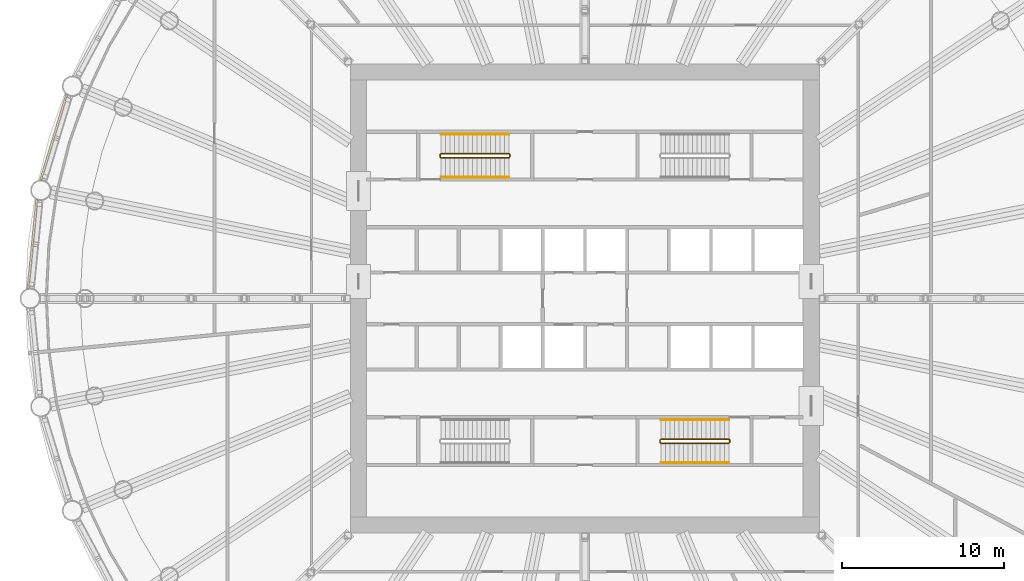
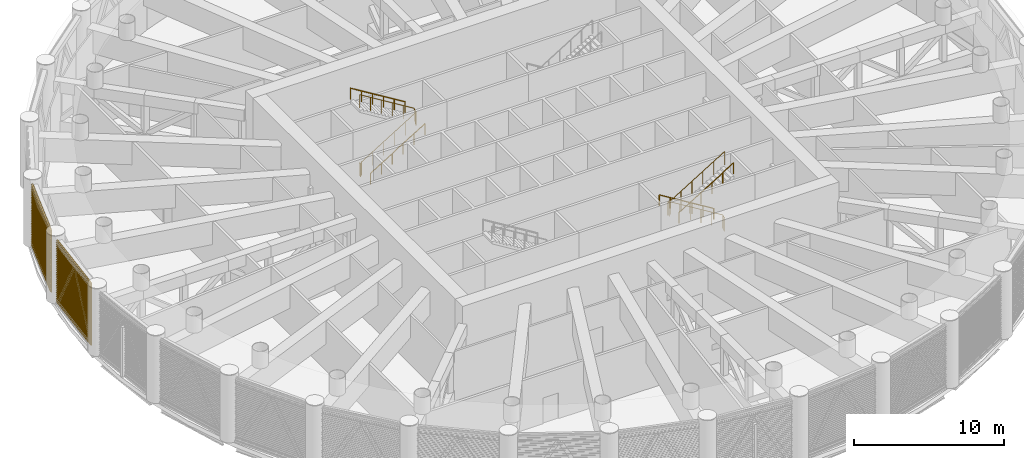
# One storey, part 25 of 29: 6 railings, 2 shading devices, 2 elements without a shape of their own.
"""IFC4 building model written with IfcOpenShell, lengths in metres."""

import ifcopenshell
import ifcopenshell.guid

model = None  # the IFC model being written
_history = None  # IfcOwnerHistory: only IFC2X3 demands one
_inside = {}  # id of a spatial element -> (the spatial element, [elements in it])
_under = {}  # id of a project, library or spatial element -> (it, [spatial elements below it])
_declared = {}  # id of a project -> (the project, [libraries it declares])
_typed = {}  # id of a type object -> (the type object, [elements of that type])
_made_of = {}  # id of a material, layer set ... -> (it, [elements and type objects made of it])


def new_model(schema):
    """Start an empty IFC model of exactly this schema.

    Asked for "IFC4X3", IfcOpenShell would pick the latest addendum, in which some entities
    have other attributes; the version numbers below select the first issue.
    IFC2X3 requires an IfcOwnerHistory on every rooted entity: one is made here for all.
    """
    global model, _history
    if schema == "IFC4X3":
        model = ifcopenshell.file(schema_version=(4, 3, 0, 0))
    else:
        model = ifcopenshell.file(schema=schema)
    _inside.clear()
    _under.clear()
    _declared.clear()
    _typed.clear()
    _made_of.clear()
    _history = None
    if model.schema == "IFC2X3":
        org = make("IfcOrganization", Name="unknown")
        user = make(
            "IfcPersonAndOrganization",
            ThePerson=make("IfcPerson", FamilyName="unknown"),
            TheOrganization=org,
        )
        app = make(
            "IfcApplication",
            ApplicationDeveloper=org,
            Version="unknown",
            ApplicationFullName="unknown",
            ApplicationIdentifier="unknown",
        )
        _history = make(
            "IfcOwnerHistory",
            OwningUser=user,
            OwningApplication=app,
            ChangeAction="ADDED",
            CreationDate=0,
        )
    return model


def make(cls, **values):
    """One entity of the class cls with the attributes given. An attribute that is None is left unset."""
    return model.create_entity(
        cls, **{name: value for name, value in values.items() if value is not None}
    )


def rooted(cls, **values):
    """An entity with a GlobalId (a new one), such as an element, a storey or a relation."""
    return make(cls, GlobalId=ifcopenshell.guid.new(), OwnerHistory=_history, **values)


def si_unit(unit_type, name, prefix=None):
    """IfcSIUnit, for example si_unit("LENGTHUNIT", "METRE", prefix="MILLI")."""
    return make("IfcSIUnit", UnitType=unit_type, Prefix=prefix, Name=name)


def assignment(units):
    """IfcUnitAssignment: the units of a project."""
    return None if units is None else make("IfcUnitAssignment", Units=units)


def point(xyz):
    """IfcCartesianPoint."""
    return None if xyz is None else make("IfcCartesianPoint", Coordinates=xyz)


def direction(xyz):
    """IfcDirection."""
    return None if xyz is None else make("IfcDirection", DirectionRatios=xyz)


def frame(location, z_axis=None, x_axis=None):
    """IfcAxis2Placement3D, a coordinate frame: its origin and axes. An axis left out is left unset."""
    return make(
        "IfcAxis2Placement3D",
        Location=point(location),
        Axis=direction(z_axis),
        RefDirection=direction(x_axis),
    )


def frame_2d(location, x_axis=None):
    """IfcAxis2Placement2D, a coordinate frame in the plane: its origin and x axis."""
    return make(
        "IfcAxis2Placement2D", Location=point(location), RefDirection=direction(x_axis)
    )


def origin():
    """The frame at (0, 0, 0) with its axes left unset."""
    return frame((0.0, 0.0, 0.0))


def origin_2d():
    """The frame at (0, 0) in the plane with its x axis left unset."""
    return frame_2d((0.0, 0.0))


def place(relative_to, where):
    """IfcLocalPlacement: puts the frame where relative to a parent placement (None: the world)."""
    return make(
        "IfcLocalPlacement", PlacementRelTo=relative_to, RelativePlacement=where
    )


def context(
    kind, dimensions, precision=None, world=None, true_north=None, identifier=None
):
    """IfcGeometricRepresentationContext, for example the 3D "Model" context."""
    return make(
        "IfcGeometricRepresentationContext",
        ContextIdentifier=identifier,
        ContextType=kind,
        CoordinateSpaceDimension=dimensions,
        Precision=precision,
        WorldCoordinateSystem=world,
        TrueNorth=true_north,
    )


def subcontext(parent, identifier, kind, view, scale=None):
    """IfcGeometricRepresentationSubContext, for example "Body" below "Model"."""
    return make(
        "IfcGeometricRepresentationSubContext",
        ContextIdentifier=identifier,
        ContextType=kind,
        ParentContext=parent,
        TargetScale=scale,
        TargetView=view,
    )


def project(units=None, contexts=None):
    """IfcProject with its units and contexts."""
    return rooted(
        "IfcProject",
        Name="project",
        RepresentationContexts=contexts,
        UnitsInContext=assignment(units),
    )


def spatial(cls, under=None, at=None, **own):
    """A site, building, storey or space (cls), placed at a placement, below another one or the project."""
    s = rooted(cls, ObjectPlacement=at, **own)
    if under is not None:
        _under.setdefault(under.id(), (under, []))[1].append(s)
    return s


def polyline(points):
    """IfcPolyline through the points."""
    return make("IfcPolyline", Points=[point(p) for p in points])


def profile(cls, at=None, kind="AREA", **sizes):
    """A parametric profile (cls). Its sizes go by their IFC names, for example OverallWidth=200.0."""
    return make(cls, ProfileType=kind, Position=at, **sizes)


def circle(**sizes):
    """IfcCircleProfileDef."""
    return profile("IfcCircleProfileDef", **sizes)


def outline(outer, holes=None, kind="AREA"):
    """IfcArbitraryClosedProfileDef: a profile drawn as a closed curve; with holes, ...WithVoids."""
    if holes is None:
        return make("IfcArbitraryClosedProfileDef", ProfileType=kind, OuterCurve=outer)
    return make(
        "IfcArbitraryProfileDefWithVoids",
        ProfileType=kind,
        OuterCurve=outer,
        InnerCurves=holes,
    )


def extrude(swept, where, along, depth):
    """IfcExtrudedAreaSolid: the profile swept, set in the frame where, extruded along a direction by depth."""
    return make(
        "IfcExtrudedAreaSolid",
        SweptArea=swept,
        Position=where,
        ExtrudedDirection=direction(along),
        Depth=depth,
    )


def shape(context_of_items, identifier, shape_type, items):
    """IfcShapeRepresentation: the items that make up one representation, for example the "Body"."""
    return make(
        "IfcShapeRepresentation",
        ContextOfItems=context_of_items,
        RepresentationIdentifier=identifier,
        RepresentationType=shape_type,
        Items=items,
    )


def material(Name=None, Category=None):
    """IfcMaterial."""
    return make("IfcMaterial", Name=Name, Category=Category)


def material_profile(
    of_material, cross_section, Name=None, Category=None, Priority=None
):
    """IfcMaterialProfile: a cross section and its material."""
    return make(
        "IfcMaterialProfile",
        Name=Name,
        Material=of_material,
        Profile=cross_section,
        Priority=Priority,
        Category=Category,
    )


def profile_set(profiles, Name=None, composite=None):
    """IfcMaterialProfileSet."""
    return make(
        "IfcMaterialProfileSet",
        Name=Name,
        MaterialProfiles=profiles,
        CompositeProfile=composite,
    )


def made_of(thing, what):
    """Note that an element or type object is made of a material, layer set ...; save() writes the relation."""
    if what is not None:
        _made_of.setdefault(what.id(), (what, []))[1].append(thing)
    return thing


def type_object(cls, material=None, **own):
    """A type object (cls), such as IfcWallType, which elements share."""
    return made_of(rooted(cls, **own), material)


def element(
    cls,
    number,
    at=None,
    inside=None,
    cuts=None,
    type_object=None,
    material=None,
    context=None,
    identifier="Body",
    shape_type=None,
    held_by="IfcProductDefinitionShape",
    body=None,
    shapes=None,
    **own,
):
    """One element of the class cls, such as IfcWall. Its Tag is "e" and its number.

    at: its placement. inside: the storey or other place that contains it. cuts: it is an
    opening in that element (IfcRelVoidsElement). A single representation is given by context,
    identifier, shape_type and body (its items); several are given by shapes. held_by: the class
    of the entity that holds the representations. save() writes the other relations.
    """
    e = rooted(cls, Tag="e%d" % number, ObjectPlacement=at, **own)
    if body is not None:
        shapes = [shape(context, identifier, shape_type, body)]
    if shapes is not None:
        e.Representation = make(held_by, Representations=shapes)
    if inside is not None:
        _inside.setdefault(inside.id(), (inside, []))[1].append(e)
    if cuts is not None:
        rooted(
            "IfcRelVoidsElement", RelatingBuildingElement=cuts, RelatedOpeningElement=e
        )
    if type_object is not None:
        _typed.setdefault(type_object.id(), (type_object, []))[1].append(e)
    return made_of(e, material)


def aggregate(whole, parts):
    """IfcRelAggregates: a whole, such as a stair, and the parts it consists of."""
    return rooted("IfcRelAggregates", RelatingObject=whole, RelatedObjects=parts)


def save(model, path):
    """Write the relations noted so far, then the file.

    IfcRelAggregates (storeys below a building ...), IfcRelContainedInSpatialStructure (elements
    in a storey), IfcRelDefinesByType, IfcRelAssociatesMaterial and IfcRelDeclares: one each for
    every whole, place, type object, material and project.
    """
    for whole, parts in _under.values():
        aggregate(whole, parts)
    for where, things in _inside.values():
        rooted(
            "IfcRelContainedInSpatialStructure",
            RelatedElements=things,
            RelatingStructure=where,
        )
    for kind, things in _typed.values():
        rooted("IfcRelDefinesByType", RelatedObjects=things, RelatingType=kind)
    for what, things in _made_of.values():
        rooted("IfcRelAssociatesMaterial", RelatedObjects=things, RelatingMaterial=what)
    for by, libraries in _declared.values():
        rooted("IfcRelDeclares", RelatingContext=by, RelatedDefinitions=libraries)
    model.write(path)


model = new_model("IFC4")

# Units and contexts
model_context = context("Model", 3, precision=1e-05, world=origin(), true_north=direction((0.0, 1.0)))
body_context = subcontext(model_context, "Body", "Model", "MODEL_VIEW")
ifc_project = project(units=[si_unit("LENGTHUNIT", "METRE"), si_unit("AREAUNIT", "SQUARE_METRE"), si_unit("VOLUMEUNIT", "CUBIC_METRE"), si_unit("PLANEANGLEUNIT", "RADIAN"), si_unit("MASSUNIT", "GRAM", prefix="KILO")], contexts=[model_context])

# Site, building, storey
site_placement = place(None, origin())
site = spatial("IfcSite", under=ifc_project, at=site_placement, CompositionType="ELEMENT")
building_placement = place(site_placement, origin())
building = spatial("IfcBuilding", under=site, at=building_placement, Name="Corvane Civic Tower", CompositionType="ELEMENT")
storey_placement = place(building_placement, frame((0.0, 0.0, 138.5)))
storey = spatial("IfcBuildingStorey", under=building, at=storey_placement, Name="L32", CompositionType="ELEMENT", Elevation=138.5)

# Railings
ifc_material_1 = material(Name="Steel ASTM A572 Gr 50", Category="steel")
railing_type_1 = type_object("IfcRailingType", Name="ST-GUARD-1100", PredefinedType="GUARDRAIL", material=ifc_material_1)
railing_1_placement = place(storey_placement, frame((8.949951171875, -8.89990234375, 0.0)))
element("IfcRailing", 1, at=railing_1_placement, inside=storey, type_object=railing_type_1, Name="L32 ST2 stair guard 1", PredefinedType="GUARDRAIL", context=body_context, shape_type="SweptSolid", body=[
    extrude(circle(Radius=0.02392578125, at=origin_2d()), frame((0.0, 0.0, 1.076171875), z_axis=(0.0, 1.0, 0.0), x_axis=(-1.0, 0.0, 0.0)), (0.0, 0.0, 1.0), 0.14990234375),
    extrude(circle(Radius=0.02392578125, at=origin_2d()), frame((0.0, 0.14990234375, 1.076171875), z_axis=(-0.269255725606, 0.269255725606, 0.92466356501), x_axis=(-0.707106781187, -0.707106781187, 0.0)), (0.0, 0.0, 1.0), 0.185791015625),
    extrude(circle(Radius=0.02392578125, at=origin_2d()), frame((-0.050048828125, 0.199951171875, 1.248046875), z_axis=(-0.852242915053, 0.0, 0.523146264196), x_axis=(0.0, -1.0, 0.0)), (0.0, 0.0, 1.0), 4.92822265625),
    extrude(circle(Radius=0.02392578125, at=origin_2d()), frame((-4.25, 0.199951171875, 3.826171875), z_axis=(-0.707106781187, -0.707106781187, 0.0), x_axis=(0.707106781187, -0.707106781187, 0.0)), (0.0, 0.0, 1.0), 0.07080078125),
    extrude(circle(Radius=0.02392578125, at=origin_2d()), frame((-4.300048828125, 0.14990234375, 3.826171875), z_axis=(0.0, -1.0, 0.0), x_axis=(1.0, 0.0, 0.0)), (0.0, 0.0, 1.0), 0.14990234375),
    extrude(circle(Radius=0.02392578125, at=origin_2d()), frame((-4.300048828125, 0.0, 3.826171875), z_axis=(0.269255725606, -0.269255725606, 0.92466356501), x_axis=(0.707106781187, 0.707106781187, 0.0)), (0.0, 0.0, 1.0), 0.185791015625),
    extrude(circle(Radius=0.02392578125, at=origin_2d()), frame((-4.25, -0.050048828125, 3.998046875), z_axis=(0.852242915053, 0.0, 0.523146264196), x_axis=(0.0, 1.0, 0.0)), (0.0, 0.0, 1.0), 4.92822265625),
    extrude(circle(Radius=0.02099609375, at=origin_2d()), origin(), (0.0, 0.0, 1.0), 1.052001953125),
    extrude(circle(Radius=0.02099609375, at=origin_2d()), frame((0.0, 0.14990234375, 0.0)), (0.0, 0.0, 1.0), 1.052001953125),
    extrude(circle(Radius=0.02099609375, at=origin_2d()), frame((-0.050048828125, 0.199951171875, 0.171875)), (0.0, 0.0, 1.0), 1.052001953125),
    extrude(circle(Radius=0.02099609375, at=origin_2d()), frame((-0.89013671875, 0.199951171875, 0.6875)), (0.0, 0.0, 1.0), 1.052001953125),
    extrude(circle(Radius=0.02099609375, at=origin_2d()), frame((-1.72998046875, 0.199951171875, 1.203125)), (0.0, 0.0, 1.0), 1.052001953125),
    extrude(circle(Radius=0.02099609375, at=origin_2d()), frame((-2.570068359375, 0.199951171875, 1.71875)), (0.0, 0.0, 1.0), 1.052001953125),
    extrude(circle(Radius=0.02099609375, at=origin_2d()), frame((-3.409912109375, 0.199951171875, 2.234375)), (0.0, 0.0, 1.0), 1.052001953125),
    extrude(circle(Radius=0.02099609375, at=origin_2d()), frame((-4.25, 0.199951171875, 2.75)), (0.0, 0.0, 1.0), 1.052001953125),
    extrude(circle(Radius=0.02099609375, at=origin_2d()), frame((-4.300048828125, 0.14990234375, 2.75)), (0.0, 0.0, 1.0), 1.052001953125),
    extrude(circle(Radius=0.02099609375, at=origin_2d()), frame((-4.300048828125, 0.0, 2.75)), (0.0, 0.0, 1.0), 1.052001953125),
    extrude(circle(Radius=0.02099609375, at=origin_2d()), frame((-4.25, -0.050048828125, 2.921875)), (0.0, 0.0, 1.0), 1.052001953125),
    extrude(circle(Radius=0.02099609375, at=origin_2d()), frame((-3.409912109375, -0.050048828125, 3.4375)), (0.0, 0.0, 1.0), 1.052001953125),
    extrude(circle(Radius=0.02099609375, at=origin_2d()), frame((-2.570068359375, -0.050048828125, 3.953125)), (0.0, 0.0, 1.0), 1.052001953125),
    extrude(circle(Radius=0.02099609375, at=origin_2d()), frame((-1.72998046875, -0.050048828125, 4.46875)), (0.0, 0.0, 1.0), 1.052001953125),
    extrude(circle(Radius=0.02099609375, at=origin_2d()), frame((-0.89013671875, -0.050048828125, 4.984375)), (0.0, 0.0, 1.0), 1.052001953125),
    extrude(circle(Radius=0.02099609375, at=origin_2d()), frame((-0.050048828125, -0.050048828125, 5.5)), (0.0, 0.0, 1.0), 1.052001953125),
])
railing_2_placement = place(storey_placement, frame((-8.949951171875, 8.89990234375, 0.0)))
element("IfcRailing", 2, at=railing_2_placement, inside=storey, type_object=railing_type_1, Name="L32 ST4 stair guard 1", PredefinedType="GUARDRAIL", context=body_context, shape_type="SweptSolid", body=[
    extrude(circle(Radius=0.02392578125, at=origin_2d()), frame((0.0, 0.0, 1.076171875), z_axis=(0.0, -1.0, 0.0), x_axis=(1.0, 0.0, 0.0)), (0.0, 0.0, 1.0), 0.14990234375),
    extrude(circle(Radius=0.02392578125, at=origin_2d()), frame((0.0, -0.14990234375, 1.076171875), z_axis=(0.269255725606, -0.269255725606, 0.92466356501), x_axis=(0.707106781187, 0.707106781187, 0.0)), (0.0, 0.0, 1.0), 0.185791015625),
    extrude(circle(Radius=0.02392578125, at=origin_2d()), frame((0.050048828125, -0.199951171875, 1.248046875), z_axis=(0.852242915053, 0.0, 0.523146264196), x_axis=(0.0, 1.0, 0.0)), (0.0, 0.0, 1.0), 4.92822265625),
    extrude(circle(Radius=0.02392578125, at=origin_2d()), frame((4.25, -0.199951171875, 3.826171875), z_axis=(0.707106781187, 0.707106781187, 0.0), x_axis=(-0.707106781187, 0.707106781187, 0.0)), (0.0, 0.0, 1.0), 0.07080078125),
    extrude(circle(Radius=0.02392578125, at=origin_2d()), frame((4.300048828125, -0.14990234375, 3.826171875), z_axis=(0.0, 1.0, 0.0), x_axis=(-1.0, 0.0, 0.0)), (0.0, 0.0, 1.0), 0.14990234375),
    extrude(circle(Radius=0.02392578125, at=origin_2d()), frame((4.300048828125, 0.0, 3.826171875), z_axis=(-0.269255725606, 0.269255725606, 0.92466356501), x_axis=(-0.707106781187, -0.707106781187, 0.0)), (0.0, 0.0, 1.0), 0.185791015625),
    extrude(circle(Radius=0.02392578125, at=origin_2d()), frame((4.25, 0.050048828125, 3.998046875), z_axis=(-0.852242915053, 0.0, 0.523146264196), x_axis=(0.0, -1.0, 0.0)), (0.0, 0.0, 1.0), 4.92822265625),
    extrude(circle(Radius=0.02099609375, at=origin_2d()), origin(), (0.0, 0.0, 1.0), 1.052001953125),
    extrude(circle(Radius=0.02099609375, at=origin_2d()), frame((0.0, -0.14990234375, 0.0)), (0.0, 0.0, 1.0), 1.052001953125),
    extrude(circle(Radius=0.02099609375, at=origin_2d()), frame((0.050048828125, -0.199951171875, 0.171875)), (0.0, 0.0, 1.0), 1.052001953125),
    extrude(circle(Radius=0.02099609375, at=origin_2d()), frame((0.89013671875, -0.199951171875, 0.6875)), (0.0, 0.0, 1.0), 1.052001953125),
    extrude(circle(Radius=0.02099609375, at=origin_2d()), frame((1.72998046875, -0.199951171875, 1.203125)), (0.0, 0.0, 1.0), 1.052001953125),
    extrude(circle(Radius=0.02099609375, at=origin_2d()), frame((2.570068359375, -0.199951171875, 1.71875)), (0.0, 0.0, 1.0), 1.052001953125),
    extrude(circle(Radius=0.02099609375, at=origin_2d()), frame((3.409912109375, -0.199951171875, 2.234375)), (0.0, 0.0, 1.0), 1.052001953125),
    extrude(circle(Radius=0.02099609375, at=origin_2d()), frame((4.25, -0.199951171875, 2.75)), (0.0, 0.0, 1.0), 1.052001953125),
    extrude(circle(Radius=0.02099609375, at=origin_2d()), frame((4.300048828125, -0.14990234375, 2.75)), (0.0, 0.0, 1.0), 1.052001953125),
    extrude(circle(Radius=0.02099609375, at=origin_2d()), frame((4.300048828125, 0.0, 2.75)), (0.0, 0.0, 1.0), 1.052001953125),
    extrude(circle(Radius=0.02099609375, at=origin_2d()), frame((4.25, 0.050048828125, 2.921875)), (0.0, 0.0, 1.0), 1.052001953125),
    extrude(circle(Radius=0.02099609375, at=origin_2d()), frame((3.409912109375, 0.050048828125, 3.4375)), (0.0, 0.0, 1.0), 1.052001953125),
    extrude(circle(Radius=0.02099609375, at=origin_2d()), frame((2.570068359375, 0.050048828125, 3.953125)), (0.0, 0.0, 1.0), 1.052001953125),
    extrude(circle(Radius=0.02099609375, at=origin_2d()), frame((1.72998046875, 0.050048828125, 4.46875)), (0.0, 0.0, 1.0), 1.052001953125),
    extrude(circle(Radius=0.02099609375, at=origin_2d()), frame((0.89013671875, 0.050048828125, 4.984375)), (0.0, 0.0, 1.0), 1.052001953125),
    extrude(circle(Radius=0.02099609375, at=origin_2d()), frame((0.050048828125, 0.050048828125, 5.5)), (0.0, 0.0, 1.0), 1.052001953125),
])
ifc_material_2 = material(Name="Steel ASTM A572 Gr 50", Category="steel")
railing_type_2 = type_object("IfcRailingType", Name="ST-HANDRAIL-900", PredefinedType="HANDRAIL", material=ifc_material_2)
railing_3_placement = place(storey_placement, frame((8.89990234375, -7.5, 0.171875)))
element("IfcRailing", 3, at=railing_3_placement, inside=storey, type_object=railing_type_2, Name="L32 ST2 stair handrail 1", PredefinedType="HANDRAIL", context=body_context, shape_type="SweptSolid", body=[
    extrude(circle(Radius=0.02392578125, at=origin_2d()), frame((0.0, 0.0, 0.8759765625), z_axis=(-0.852242915053, 0.0, 0.523146264196), x_axis=(0.0, -1.0, 0.0)), (0.0, 0.0, 1.0), 4.92822265625),
    extrude(circle(Radius=0.02099609375, at=origin_2d()), origin(), (0.0, 0.0, 1.0), 0.851806640625),
    extrude(circle(Radius=0.02099609375, at=origin_2d()), frame((-0.840087890625, 0.0, 0.515625)), (0.0, 0.0, 1.0), 0.851806640625),
    extrude(circle(Radius=0.02099609375, at=origin_2d()), frame((-1.679931640625, 0.0, 1.03125)), (0.0, 0.0, 1.0), 0.851806640625),
    extrude(circle(Radius=0.02099609375, at=origin_2d()), frame((-2.52001953125, 0.0, 1.546875)), (0.0, 0.0, 1.0), 0.851806640625),
    extrude(circle(Radius=0.02099609375, at=origin_2d()), frame((-3.35986328125, 0.0, 2.0625)), (0.0, 0.0, 1.0), 0.851806640625),
    extrude(circle(Radius=0.02099609375, at=origin_2d()), frame((-4.199951171875, 0.0, 2.578125)), (0.0, 0.0, 1.0), 0.851806640625),
])
for number, where, name in (
    (4, (4.699951171875, -10.14990234375, 2.921875), "L32 ST2 stair handrail 2"),
    (5, (-8.89990234375, 7.5, 0.171875), "L32 ST4 stair handrail 1"),
):
    element("IfcRailing", number, at=place(storey_placement, frame(where)), inside=storey, type_object=railing_type_2, Name=name, PredefinedType="HANDRAIL", context=body_context, shape_type="SweptSolid", body=[
        extrude(circle(Radius=0.02392578125, at=origin_2d()), frame((0.0, 0.0, 0.8759765625), z_axis=(0.852242915053, 0.0, 0.523146264196), x_axis=(0.0, 1.0, 0.0)), (0.0, 0.0, 1.0), 4.92822265625),
        extrude(circle(Radius=0.02099609375, at=origin_2d()), origin(), (0.0, 0.0, 1.0), 0.851806640625),
        extrude(circle(Radius=0.02099609375, at=origin_2d()), frame((0.840087890625, 0.0, 0.515625)), (0.0, 0.0, 1.0), 0.851806640625),
        extrude(circle(Radius=0.02099609375, at=origin_2d()), frame((1.679931640625, 0.0, 1.03125)), (0.0, 0.0, 1.0), 0.851806640625),
        extrude(circle(Radius=0.02099609375, at=origin_2d()), frame((2.52001953125, 0.0, 1.546875)), (0.0, 0.0, 1.0), 0.851806640625),
        extrude(circle(Radius=0.02099609375, at=origin_2d()), frame((3.35986328125, 0.0, 2.0625)), (0.0, 0.0, 1.0), 0.851806640625),
        extrude(circle(Radius=0.02099609375, at=origin_2d()), frame((4.199951171875, 0.0, 2.578125)), (0.0, 0.0, 1.0), 0.851806640625),
    ])
railing_4_placement = place(storey_placement, frame((-4.699951171875, 10.14990234375, 2.921875)))
element("IfcRailing", 6, at=railing_4_placement, inside=storey, type_object=railing_type_2, Name="L32 ST4 stair handrail 2", PredefinedType="HANDRAIL", context=body_context, shape_type="SweptSolid", body=[
    extrude(circle(Radius=0.02392578125, at=origin_2d()), frame((0.0, 0.0, 0.8759765625), z_axis=(-0.852242915053, 0.0, 0.523146264196), x_axis=(0.0, -1.0, 0.0)), (0.0, 0.0, 1.0), 4.92822265625),
    extrude(circle(Radius=0.02099609375, at=origin_2d()), origin(), (0.0, 0.0, 1.0), 0.851806640625),
    extrude(circle(Radius=0.02099609375, at=origin_2d()), frame((-0.840087890625, 0.0, 0.515625)), (0.0, 0.0, 1.0), 0.851806640625),
    extrude(circle(Radius=0.02099609375, at=origin_2d()), frame((-1.679931640625, 0.0, 1.03125)), (0.0, 0.0, 1.0), 0.851806640625),
    extrude(circle(Radius=0.02099609375, at=origin_2d()), frame((-2.52001953125, 0.0, 1.546875)), (0.0, 0.0, 1.0), 0.851806640625),
    extrude(circle(Radius=0.02099609375, at=origin_2d()), frame((-3.35986328125, 0.0, 2.0625)), (0.0, 0.0, 1.0), 0.851806640625),
    extrude(circle(Radius=0.02099609375, at=origin_2d()), frame((-4.199951171875, 0.0, 2.578125)), (0.0, 0.0, 1.0), 0.851806640625),
])

# Curtain wall, shading device
ifc_material_3 = material(Name="Anodised aluminium bronze", Category="aluminium")
curtain_wall_type = type_object("IfcCurtainWallType", Name="TOWER CW-LV LOUVRE SCREEN WALL", PredefinedType="NOTDEFINED", material=ifc_material_3)
curtain_wall_1_placement = place(storey_placement, origin())
curtain_wall_1 = element("IfcCurtainWall", 7, at=curtain_wall_1_placement, inside=storey, type_object=curtain_wall_type, Name="Louvre screen wall CW-LV L32 bay 25", PredefinedType="NOTDEFINED")
ifc_material_4 = material(Name="Anodised aluminium bronze", Category="aluminium")
ifc_material_profile = material_profile(ifc_material_4, outline(polyline([(-0.06005859375, -2.56494140625), (-0.0400390625, -2.56494140625), (0.06005859375, -2.492919921875), (0.06005859375, -2.472900390625), (-0.0400390625, -2.544921875), (-0.0400390625, -2.4140625), (0.06005859375, -2.342041015625), (0.06005859375, -2.322021484375), (-0.0400390625, -2.39404296875), (-0.0400390625, -2.26318359375), (0.06005859375, -2.191162109375), (0.06005859375, -2.171142578125), (-0.0400390625, -2.2431640625), (-0.0400390625, -2.1123046875), (0.06005859375, -2.040283203125), (0.06005859375, -2.0205078125), (-0.0400390625, -2.09228515625), (-0.0400390625, -1.96142578125), (0.06005859375, -1.889404296875), (0.06005859375, -1.869384765625), (-0.0400390625, -1.94140625), (-0.0400390625, -1.810546875), (0.06005859375, -1.738525390625), (0.06005859375, -1.718505859375), (-0.0400390625, -1.79052734375), (-0.0400390625, -1.65966796875), (0.06005859375, -1.587646484375), (0.06005859375, -1.567626953125), (-0.0400390625, -1.6396484375), (-0.0400390625, -1.5087890625), (0.06005859375, -1.436767578125), (0.06005859375, -1.416748046875), (-0.0400390625, -1.48876953125), (-0.0400390625, -1.35791015625), (0.06005859375, -1.285888671875), (0.06005859375, -1.265869140625), (-0.0400390625, -1.337890625), (-0.0400390625, -1.20703125), (0.06005859375, -1.135009765625), (0.06005859375, -1.114990234375), (-0.0400390625, -1.18701171875), (-0.0400390625, -1.05615234375), (0.06005859375, -0.984130859375), (0.06005859375, -0.964111328125), (-0.0400390625, -1.0361328125), (-0.0400390625, -0.9052734375), (0.06005859375, -0.833251953125), (0.06005859375, -0.813232421875), (-0.0400390625, -0.88525390625), (-0.0400390625, -0.75439453125), (0.06005859375, -0.682373046875), (0.06005859375, -0.662353515625), (-0.0400390625, -0.734375), (-0.0400390625, -0.603515625), (0.06005859375, -0.531494140625), (0.06005859375, -0.511474609375), (-0.0400390625, -0.58349609375), (-0.0400390625, -0.45263671875), (0.06005859375, -0.380615234375), (0.06005859375, -0.360595703125), (-0.0400390625, -0.4326171875), (-0.0400390625, -0.3017578125), (0.06005859375, -0.229736328125), (0.06005859375, -0.209716796875), (-0.0400390625, -0.28173828125), (-0.0400390625, -0.15087890625), (0.06005859375, -0.078857421875), (0.06005859375, -0.058837890625), (-0.0400390625, -0.130859375), (-0.0400390625, 0.0), (0.06005859375, 0.072021484375), (0.06005859375, 0.092041015625), (-0.0400390625, 0.02001953125), (-0.0400390625, 0.15087890625), (0.06005859375, 0.222900390625), (0.06005859375, 0.242919921875), (-0.0400390625, 0.1708984375), (-0.0400390625, 0.3017578125), (0.06005859375, 0.373779296875), (0.06005859375, 0.393798828125), (-0.0400390625, 0.32177734375), (-0.0400390625, 0.45263671875), (0.06005859375, 0.524658203125), (0.06005859375, 0.544677734375), (-0.0400390625, 0.47265625), (-0.0400390625, 0.603515625), (0.06005859375, 0.675537109375), (0.06005859375, 0.695556640625), (-0.0400390625, 0.62353515625), (-0.0400390625, 0.75439453125), (0.06005859375, 0.826416015625), (0.06005859375, 0.846435546875), (-0.0400390625, 0.7744140625), (-0.0400390625, 0.9052734375), (0.06005859375, 0.977294921875), (0.06005859375, 0.997314453125), (-0.0400390625, 0.92529296875), (-0.0400390625, 1.05615234375), (0.06005859375, 1.128173828125), (0.06005859375, 1.148193359375), (-0.0400390625, 1.076171875), (-0.0400390625, 1.20703125), (0.06005859375, 1.279052734375), (0.06005859375, 1.299072265625), (-0.0400390625, 1.22705078125), (-0.0400390625, 1.35791015625), (0.06005859375, 1.429931640625), (0.06005859375, 1.449951171875), (-0.0400390625, 1.3779296875), (-0.0400390625, 1.5087890625), (0.06005859375, 1.580810546875), (0.06005859375, 1.600830078125), (-0.0400390625, 1.52880859375), (-0.0400390625, 1.65966796875), (0.06005859375, 1.731689453125), (0.06005859375, 1.751708984375), (-0.0400390625, 1.6796875), (-0.0400390625, 1.810546875), (0.06005859375, 1.882568359375), (0.06005859375, 1.902587890625), (-0.0400390625, 1.83056640625), (-0.0400390625, 1.96142578125), (0.06005859375, 2.033447265625), (0.06005859375, 2.053466796875), (-0.0400390625, 1.9814453125), (-0.0400390625, 2.1123046875), (0.06005859375, 2.184326171875), (0.06005859375, 2.204345703125), (-0.0400390625, 2.13232421875), (-0.0400390625, 2.26318359375), (0.06005859375, 2.335205078125), (0.06005859375, 2.355224609375), (-0.0400390625, 2.283203125), (-0.0400390625, 2.4140625), (0.06005859375, 2.486083984375), (0.06005859375, 2.506103515625), (-0.0400390625, 2.43408203125), (-0.0400390625, 2.56494140625), (-0.06005859375, 2.56494140625), (-0.06005859375, -2.56494140625)])), Name="TOWER LOUVRE BANK 5130 BRONZE")
ifc_profile_set = profile_set([ifc_material_profile], Name="Anodised aluminium bronze")
shading_device_type = type_object("IfcShadingDeviceType", Name="TOWER LOUVRE BANK 5130 BRONZE", PredefinedType="USERDEFINED", material=ifc_profile_set)
shading_device_1_placement = place(storey_placement, frame((-34.422607421875, 0.58349609375, 2.68505859375), z_axis=(0.098067077419, 0.995179807033, 0.0), x_axis=(-0.995179807033, 0.098067077419, 0.0)))
shading_device_1 = element("IfcShadingDevice", 8, at=shading_device_1_placement, type_object=shading_device_type, Name="Louvre bank L32 25.1", ObjectType="LOUVRE", PredefinedType="USERDEFINED", context=body_context, shape_type="SweptSolid", body=[
    extrude(outline(polyline([(-0.06005859375, -2.56494140625), (-0.0400390625, -2.56494140625), (0.06005859375, -2.492919921875), (0.06005859375, -2.472900390625), (-0.0400390625, -2.544921875), (-0.0400390625, -2.4140625), (0.06005859375, -2.342041015625), (0.06005859375, -2.322021484375), (-0.0400390625, -2.39404296875), (-0.0400390625, -2.26318359375), (0.06005859375, -2.191162109375), (0.06005859375, -2.171142578125), (-0.0400390625, -2.2431640625), (-0.0400390625, -2.1123046875), (0.06005859375, -2.040283203125), (0.06005859375, -2.0205078125), (-0.0400390625, -2.09228515625), (-0.0400390625, -1.96142578125), (0.06005859375, -1.889404296875), (0.06005859375, -1.869384765625), (-0.0400390625, -1.94140625), (-0.0400390625, -1.810546875), (0.06005859375, -1.738525390625), (0.06005859375, -1.718505859375), (-0.0400390625, -1.79052734375), (-0.0400390625, -1.65966796875), (0.06005859375, -1.587646484375), (0.06005859375, -1.567626953125), (-0.0400390625, -1.6396484375), (-0.0400390625, -1.5087890625), (0.06005859375, -1.436767578125), (0.06005859375, -1.416748046875), (-0.0400390625, -1.48876953125), (-0.0400390625, -1.35791015625), (0.06005859375, -1.285888671875), (0.06005859375, -1.265869140625), (-0.0400390625, -1.337890625), (-0.0400390625, -1.20703125), (0.06005859375, -1.135009765625), (0.06005859375, -1.114990234375), (-0.0400390625, -1.18701171875), (-0.0400390625, -1.05615234375), (0.06005859375, -0.984130859375), (0.06005859375, -0.964111328125), (-0.0400390625, -1.0361328125), (-0.0400390625, -0.9052734375), (0.06005859375, -0.833251953125), (0.06005859375, -0.813232421875), (-0.0400390625, -0.88525390625), (-0.0400390625, -0.75439453125), (0.06005859375, -0.682373046875), (0.06005859375, -0.662353515625), (-0.0400390625, -0.734375), (-0.0400390625, -0.603515625), (0.06005859375, -0.531494140625), (0.06005859375, -0.511474609375), (-0.0400390625, -0.58349609375), (-0.0400390625, -0.45263671875), (0.06005859375, -0.380615234375), (0.06005859375, -0.360595703125), (-0.0400390625, -0.4326171875), (-0.0400390625, -0.3017578125), (0.06005859375, -0.229736328125), (0.06005859375, -0.209716796875), (-0.0400390625, -0.28173828125), (-0.0400390625, -0.15087890625), (0.06005859375, -0.078857421875), (0.06005859375, -0.058837890625), (-0.0400390625, -0.130859375), (-0.0400390625, 0.0), (0.06005859375, 0.072021484375), (0.06005859375, 0.092041015625), (-0.0400390625, 0.02001953125), (-0.0400390625, 0.15087890625), (0.06005859375, 0.222900390625), (0.06005859375, 0.242919921875), (-0.0400390625, 0.1708984375), (-0.0400390625, 0.3017578125), (0.06005859375, 0.373779296875), (0.06005859375, 0.393798828125), (-0.0400390625, 0.32177734375), (-0.0400390625, 0.45263671875), (0.06005859375, 0.524658203125), (0.06005859375, 0.544677734375), (-0.0400390625, 0.47265625), (-0.0400390625, 0.603515625), (0.06005859375, 0.675537109375), (0.06005859375, 0.695556640625), (-0.0400390625, 0.62353515625), (-0.0400390625, 0.75439453125), (0.06005859375, 0.826416015625), (0.06005859375, 0.846435546875), (-0.0400390625, 0.7744140625), (-0.0400390625, 0.9052734375), (0.06005859375, 0.977294921875), (0.06005859375, 0.997314453125), (-0.0400390625, 0.92529296875), (-0.0400390625, 1.05615234375), (0.06005859375, 1.128173828125), (0.06005859375, 1.148193359375), (-0.0400390625, 1.076171875), (-0.0400390625, 1.20703125), (0.06005859375, 1.279052734375), (0.06005859375, 1.299072265625), (-0.0400390625, 1.22705078125), (-0.0400390625, 1.35791015625), (0.06005859375, 1.429931640625), (0.06005859375, 1.449951171875), (-0.0400390625, 1.3779296875), (-0.0400390625, 1.5087890625), (0.06005859375, 1.580810546875), (0.06005859375, 1.600830078125), (-0.0400390625, 1.52880859375), (-0.0400390625, 1.65966796875), (0.06005859375, 1.731689453125), (0.06005859375, 1.751708984375), (-0.0400390625, 1.6796875), (-0.0400390625, 1.810546875), (0.06005859375, 1.882568359375), (0.06005859375, 1.902587890625), (-0.0400390625, 1.83056640625), (-0.0400390625, 1.96142578125), (0.06005859375, 2.033447265625), (0.06005859375, 2.053466796875), (-0.0400390625, 1.9814453125), (-0.0400390625, 2.1123046875), (0.06005859375, 2.184326171875), (0.06005859375, 2.204345703125), (-0.0400390625, 2.13232421875), (-0.0400390625, 2.26318359375), (0.06005859375, 2.335205078125), (0.06005859375, 2.355224609375), (-0.0400390625, 2.283203125), (-0.0400390625, 2.4140625), (0.06005859375, 2.486083984375), (0.06005859375, 2.506103515625), (-0.0400390625, 2.43408203125), (-0.0400390625, 2.56494140625), (-0.06005859375, 2.56494140625), (-0.06005859375, -2.56494140625)])), origin(), (0.0, 0.0, 1.0), 5.58642578125),
])
aggregate(curtain_wall_1, [shading_device_1])

curtain_wall_2_placement = place(storey_placement, origin())
curtain_wall_2 = element("IfcCurtainWall", 9, at=curtain_wall_2_placement, inside=storey, type_object=curtain_wall_type, Name="Louvre screen wall CW-LV L32 bay 26", PredefinedType="NOTDEFINED")
shading_device_2_placement = place(storey_placement, frame((-33.647216796875, 7.287841796875, 2.68505859375), z_axis=(0.290269376509, 0.956944977029, 0.0), x_axis=(-0.956944977029, 0.290269376509, 0.0)))
shading_device_2 = element("IfcShadingDevice", 10, at=shading_device_2_placement, type_object=shading_device_type, Name="Louvre bank L32 26.1", ObjectType="LOUVRE", PredefinedType="USERDEFINED", context=body_context, shape_type="SweptSolid", body=[
    extrude(outline(polyline([(-0.06005859375, -2.56494140625), (-0.0400390625, -2.56494140625), (0.06005859375, -2.492919921875), (0.06005859375, -2.472900390625), (-0.0400390625, -2.544921875), (-0.0400390625, -2.4140625), (0.06005859375, -2.342041015625), (0.06005859375, -2.322021484375), (-0.0400390625, -2.39404296875), (-0.0400390625, -2.26318359375), (0.06005859375, -2.191162109375), (0.06005859375, -2.171142578125), (-0.0400390625, -2.2431640625), (-0.0400390625, -2.1123046875), (0.06005859375, -2.040283203125), (0.06005859375, -2.0205078125), (-0.0400390625, -2.09228515625), (-0.0400390625, -1.96142578125), (0.06005859375, -1.889404296875), (0.06005859375, -1.869384765625), (-0.0400390625, -1.94140625), (-0.0400390625, -1.810546875), (0.06005859375, -1.738525390625), (0.06005859375, -1.718505859375), (-0.0400390625, -1.79052734375), (-0.0400390625, -1.65966796875), (0.06005859375, -1.587646484375), (0.06005859375, -1.567626953125), (-0.0400390625, -1.6396484375), (-0.0400390625, -1.5087890625), (0.06005859375, -1.436767578125), (0.06005859375, -1.416748046875), (-0.0400390625, -1.48876953125), (-0.0400390625, -1.35791015625), (0.06005859375, -1.285888671875), (0.06005859375, -1.265869140625), (-0.0400390625, -1.337890625), (-0.0400390625, -1.20703125), (0.06005859375, -1.135009765625), (0.06005859375, -1.114990234375), (-0.0400390625, -1.18701171875), (-0.0400390625, -1.05615234375), (0.06005859375, -0.984130859375), (0.06005859375, -0.964111328125), (-0.0400390625, -1.0361328125), (-0.0400390625, -0.9052734375), (0.06005859375, -0.833251953125), (0.06005859375, -0.813232421875), (-0.0400390625, -0.88525390625), (-0.0400390625, -0.75439453125), (0.06005859375, -0.682373046875), (0.06005859375, -0.662353515625), (-0.0400390625, -0.734375), (-0.0400390625, -0.603515625), (0.06005859375, -0.531494140625), (0.06005859375, -0.511474609375), (-0.0400390625, -0.58349609375), (-0.0400390625, -0.45263671875), (0.06005859375, -0.380615234375), (0.06005859375, -0.360595703125), (-0.0400390625, -0.4326171875), (-0.0400390625, -0.3017578125), (0.06005859375, -0.229736328125), (0.06005859375, -0.209716796875), (-0.0400390625, -0.28173828125), (-0.0400390625, -0.15087890625), (0.06005859375, -0.078857421875), (0.06005859375, -0.058837890625), (-0.0400390625, -0.130859375), (-0.0400390625, 0.0), (0.06005859375, 0.072021484375), (0.06005859375, 0.092041015625), (-0.0400390625, 0.02001953125), (-0.0400390625, 0.15087890625), (0.06005859375, 0.222900390625), (0.06005859375, 0.242919921875), (-0.0400390625, 0.1708984375), (-0.0400390625, 0.3017578125), (0.06005859375, 0.373779296875), (0.06005859375, 0.393798828125), (-0.0400390625, 0.32177734375), (-0.0400390625, 0.45263671875), (0.06005859375, 0.524658203125), (0.06005859375, 0.544677734375), (-0.0400390625, 0.47265625), (-0.0400390625, 0.603515625), (0.06005859375, 0.675537109375), (0.06005859375, 0.695556640625), (-0.0400390625, 0.62353515625), (-0.0400390625, 0.75439453125), (0.06005859375, 0.826416015625), (0.06005859375, 0.846435546875), (-0.0400390625, 0.7744140625), (-0.0400390625, 0.9052734375), (0.06005859375, 0.977294921875), (0.06005859375, 0.997314453125), (-0.0400390625, 0.92529296875), (-0.0400390625, 1.05615234375), (0.06005859375, 1.128173828125), (0.06005859375, 1.148193359375), (-0.0400390625, 1.076171875), (-0.0400390625, 1.20703125), (0.06005859375, 1.279052734375), (0.06005859375, 1.299072265625), (-0.0400390625, 1.22705078125), (-0.0400390625, 1.35791015625), (0.06005859375, 1.429931640625), (0.06005859375, 1.449951171875), (-0.0400390625, 1.3779296875), (-0.0400390625, 1.5087890625), (0.06005859375, 1.580810546875), (0.06005859375, 1.600830078125), (-0.0400390625, 1.52880859375), (-0.0400390625, 1.65966796875), (0.06005859375, 1.731689453125), (0.06005859375, 1.751708984375), (-0.0400390625, 1.6796875), (-0.0400390625, 1.810546875), (0.06005859375, 1.882568359375), (0.06005859375, 1.902587890625), (-0.0400390625, 1.83056640625), (-0.0400390625, 1.96142578125), (0.06005859375, 2.033447265625), (0.06005859375, 2.053466796875), (-0.0400390625, 1.9814453125), (-0.0400390625, 2.1123046875), (0.06005859375, 2.184326171875), (0.06005859375, 2.204345703125), (-0.0400390625, 2.13232421875), (-0.0400390625, 2.26318359375), (0.06005859375, 2.335205078125), (0.06005859375, 2.355224609375), (-0.0400390625, 2.283203125), (-0.0400390625, 2.4140625), (0.06005859375, 2.486083984375), (0.06005859375, 2.506103515625), (-0.0400390625, 2.43408203125), (-0.0400390625, 2.56494140625), (-0.06005859375, 2.56494140625), (-0.06005859375, -2.56494140625)])), origin(), (0.0, 0.0, 1.0), 5.58642578125),
])
aggregate(curtain_wall_2, [shading_device_2])

save(model, "model.ifc")
